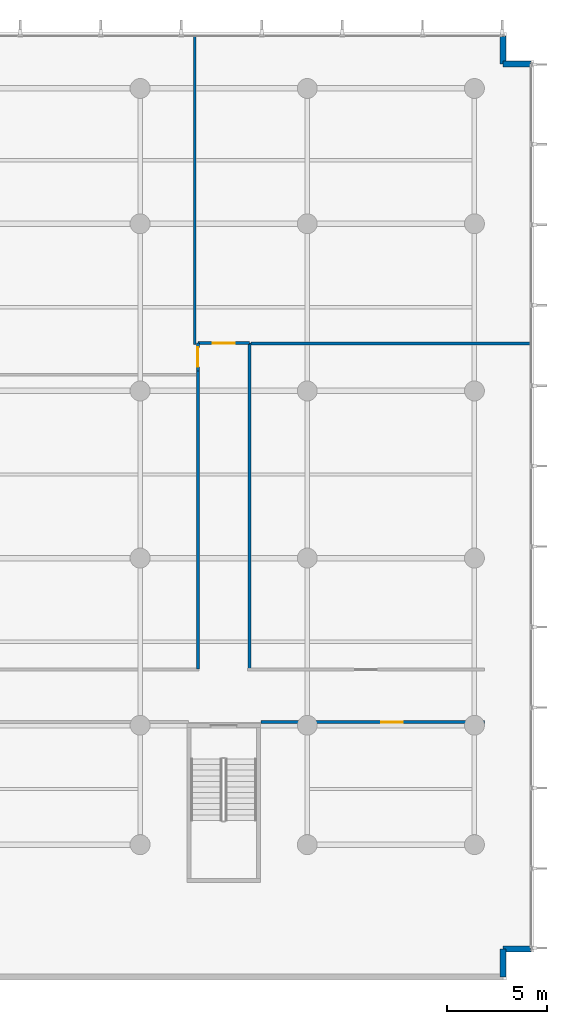
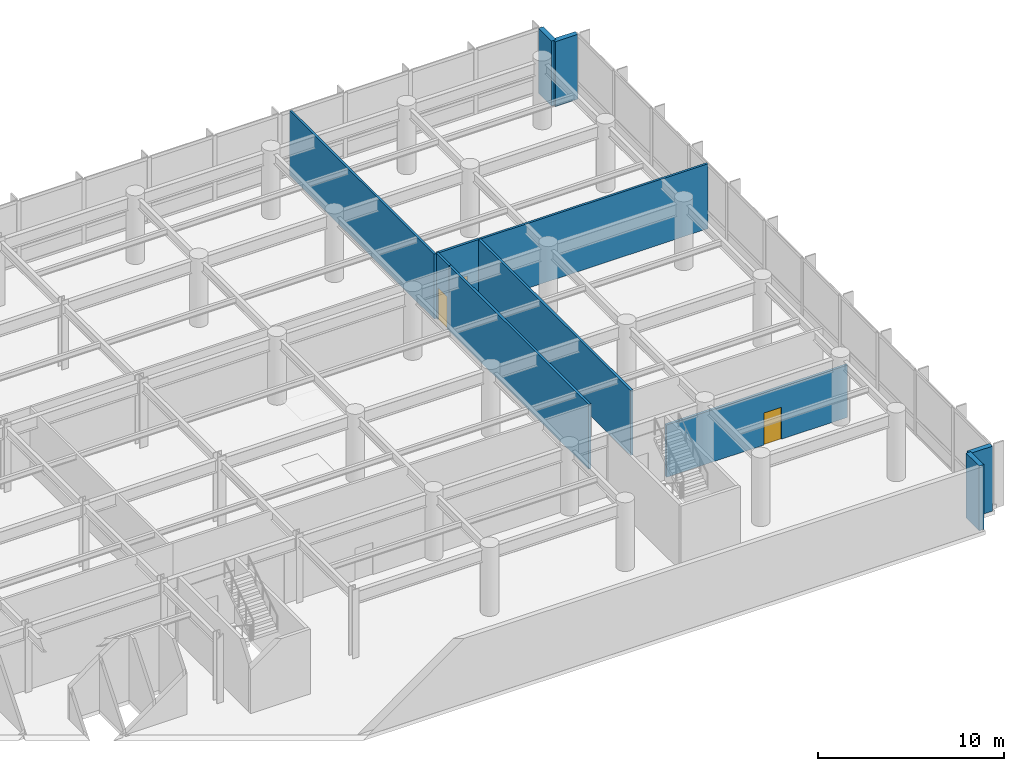
# One storey, part 18 of 26: 11 walls, 3 doors, 3 openings.
"""IFC4 building model written with IfcOpenShell, lengths in metres."""

from ifc_helpers import new_model, si_unit, direction, frame, frame_2d, origin, place, context, subcontext, project, spatial, rectangle, extrude, material, layer, layer_set, type_object, element, fill, save


model = new_model("IFC4")

# Units and contexts
model_context = context("Model", 3, precision=1e-05, world=origin(), true_north=direction((0.0, 1.0)))
body_context = subcontext(model_context, "Body", "Model", "MODEL_VIEW")
ifc_project = project(units=[si_unit("LENGTHUNIT", "METRE"), si_unit("AREAUNIT", "SQUARE_METRE"), si_unit("VOLUMEUNIT", "CUBIC_METRE"), si_unit("PLANEANGLEUNIT", "RADIAN"), si_unit("MASSUNIT", "GRAM", prefix="KILO")], contexts=[model_context])

# Site, building, storey
site_placement = place(None, origin())
site = spatial("IfcSite", under=ifc_project, at=site_placement, CompositionType="ELEMENT")
building_placement = place(site_placement, origin())
building = spatial("IfcBuilding", under=site, at=building_placement, Name="Varnakote Quay Hospital", CompositionType="ELEMENT")
storey_placement = place(building_placement, frame((0.0, 0.0, 9.0)))
storey = spatial("IfcBuildingStorey", under=building, at=storey_placement, Name="L02", CompositionType="ELEMENT", Elevation=9.0)

# Walls
ifc_material_1 = material(Name="Precast concrete N50 (f'c 50 MPa)", Category="concrete")
ifc_layer_1 = layer(ifc_material_1, 0.300048828125)
ifc_layer_set_1 = layer_set([ifc_layer_1], Name="Precast concrete N50 (f'c 50 MPa)")
wall_type_1 = type_object("IfcWallType", Name="WL-EXT-BRICK-300", PredefinedType="STANDARD", material=ifc_layer_set_1)
wall_1_placement = place(storey_placement, frame((85.43994140625, -0.639892578125, 0.0), z_axis=(0.0, 0.0, 1.0), x_axis=(0.0, 1.0, 0.0)))
element("IfcWall", 1, at=wall_1_placement, inside=storey, type_object=wall_type_1, Name="L02 Brick-Faced Precast Exterior Wall", PredefinedType="STANDARD", context=body_context, shape_type="SweptSolid", body=[
    extrude(rectangle(XDim=1.39990234375, YDim=0.300048828125, at=frame_2d((0.699951171875, 0.0))), origin(), (0.0, 0.0, 1.0), 4.25),
])
for number, where, z_axis, x_axis, name in (
    (2, (85.43994140625, 0.760009765625, 0.0), (0.0, 0.0, 1.0), (1.0, 0.0, 0.0), "L02 Brick-Faced Precast Exterior Wall"),
    (3, (86.840087890625, 45.239990234375, 0.0), (0.0, 0.0, 1.0), (-1.0, 0.0, 0.0), "L02 Brick-Faced Precast Exterior Wall"),
):
    element("IfcWall", number, at=place(storey_placement, frame(where, z_axis=z_axis, x_axis=x_axis)), inside=storey, type_object=wall_type_1, Name=name, PredefinedType="STANDARD", context=body_context, shape_type="SweptSolid", body=[
        extrude(rectangle(XDim=1.400146484375, YDim=0.300048828125, at=frame_2d((0.7001953125, 0.0))), origin(), (0.0, 0.0, 1.0), 4.25),
    ])
wall_2_placement = place(storey_placement, frame((85.43994140625, 45.239990234375, 0.0), z_axis=(0.0, 0.0, 1.0), x_axis=(0.0, 1.0, 0.0)))
element("IfcWall", 4, at=wall_2_placement, inside=storey, type_object=wall_type_1, Name="L02 Brick-Faced Precast Exterior Wall", PredefinedType="STANDARD", context=body_context, shape_type="SweptSolid", body=[
    extrude(rectangle(XDim=1.39990234375, YDim=0.300048828125, at=frame_2d((0.699951171875, 0.0))), origin(), (0.0, 0.0, 1.0), 4.25),
])
ifc_material_2 = material(Name="Smoke-proof clinical partition", Category="gypsum")
ifc_layer_2 = layer(ifc_material_2, 0.135009765625)
ifc_layer_set_2 = layer_set([ifc_layer_2], Name="Smoke-proof clinical partition")
wall_type_2 = type_object("IfcWallType", Name="WL-SMOKE-135", PredefinedType="PARTITIONING", material=ifc_layer_set_2)
wall_3_placement = place(storey_placement, frame((86.840087890625, 31.179931640625, 0.0), z_axis=(0.0, 0.0, 1.0), x_axis=(-1.0, 0.0, 0.0)))
element("IfcWall", 5, at=wall_3_placement, inside=storey, type_object=wall_type_2, Name="L02 Clinical Interior Partition", PredefinedType="PARTITIONING", context=body_context, shape_type="SweptSolid", body=[
    extrude(rectangle(XDim=14.0751953125, YDim=0.135009765625, at=frame_2d((7.03759765625, 0.0))), origin(), (0.0, 0.0, 1.0), 4.25),
])
wall_4_placement = place(storey_placement, frame((69.949951171875, 31.1328125, 0.0), z_axis=(0.0, 0.0, 1.0), x_axis=(0.0, 1.0, 0.0)))
element("IfcWall", 6, at=wall_4_placement, inside=storey, type_object=wall_type_2, Name="L02 Clinical Interior Partition", PredefinedType="PARTITIONING", context=body_context, shape_type="SweptSolid", body=[
    extrude(rectangle(XDim=15.507080078125, YDim=0.135009765625, at=frame_2d((7.75341796875, 0.0))), origin(), (0.0, 0.0, 1.0), 4.25),
])

# Wall, opening, door
ifc_material_3 = material(Name="Fire-rated clinical gypsum partition", Category="gypsum")
ifc_layer_3 = layer(ifc_material_3, 0.14990234375)
ifc_layer_set_3 = layer_set([ifc_layer_3], Name="Fire-rated clinical gypsum partition")
wall_type_3 = type_object("IfcWallType", Name="WL-WARD-150", PredefinedType="PARTITIONING", material=ifc_layer_set_3)
wall_5_placement = place(storey_placement, frame((73.271484375, 12.159912109375, 0.0), z_axis=(0.0, 0.0, 1.0), x_axis=(1.0, 0.0, 0.0)))
wall_5 = element("IfcWall", 7, at=wall_5_placement, inside=storey, type_object=wall_type_3, Name="L02 Clinical Interior Partition", PredefinedType="PARTITIONING", context=body_context, shape_type="SweptSolid", body=[
    extrude(rectangle(XDim=11.228515625, YDim=0.14990234375, at=frame_2d((5.6142578125, 0.0))), origin(), (0.0, 0.0, 1.0), 3.425048828125),
])
opening_1_placement = place(wall_5_placement, frame((6.037109375, 0.0, 0.0)))
opening_1 = element("IfcOpeningElement", 8, at=opening_1_placement, cuts=wall_5, Name="Opening D-L02-ESUR", PredefinedType="OPENING", context=body_context, shape_type="SweptSolid", body=[
    extrude(rectangle(XDim=1.10009765625, YDim=2.10009765625, at=frame_2d((0.550048828125, 1.050048828125))), frame((0.0, 0.0849609375, 0.0), z_axis=(0.0, -1.0, 0.0), x_axis=(1.0, 0.0, 0.0)), (0.0, 0.0, 1.0), 0.169921875),
])
ifc_material_4 = material(Name="Acoustic timber clinical consult door", Category="wood")
door_type_1 = type_object("IfcDoorType", Name="DR-CLIN-FD30S-1100x2100", OperationType="NOTDEFINED", PredefinedType="DOOR", material=ifc_material_4)
door_1_placement = place(opening_1_placement, origin())
door_1 = element("IfcDoor", 9, at=door_1_placement, inside=storey, type_object=door_type_1, Name="L02 Robotic Microsurgery Preparation Treatment Suite Door", OperationType="SINGLE_SWING_RIGHT", OverallHeight=2.10009765625, OverallWidth=1.10009765625, PredefinedType="DOOR", context=body_context, shape_type="SweptSolid", body=[
    extrude(rectangle(XDim=1.10009765625, YDim=2.10009765625, at=frame_2d((0.550048828125, 1.050048828125))), frame((0.0, 0.02490234375, 0.0), z_axis=(0.0, -1.0, 0.0), x_axis=(1.0, 0.0, 0.0)), (0.0, 0.0, 1.0), 0.050048828125),
])
fill(opening_1, door_1)

# Walls
wall_6_placement = place(storey_placement, frame((70.10009765625, 29.80712890625, 0.0), z_axis=(0.0, 0.0, 1.0), x_axis=(0.0, -1.0, 0.0)))
element("IfcWall", 10, at=wall_6_placement, inside=storey, type_object=wall_type_3, Name="L02 Clinical Interior Partition", PredefinedType="PARTITIONING", context=body_context, shape_type="SweptSolid", body=[
    extrude(rectangle(XDim=14.987060546875, YDim=0.14990234375, at=frame_2d((7.49365234375, 0.0))), origin(), (0.0, 0.0, 1.0), 4.25),
])
wall_7_placement = place(storey_placement, frame((72.699951171875, 14.820068359375, 0.0), z_axis=(0.0, 0.0, 1.0), x_axis=(0.0, 1.0, 0.0)))
element("IfcWall", 11, at=wall_7_placement, inside=storey, type_object=wall_type_3, Name="L02 Clinical Interior Partition", PredefinedType="PARTITIONING", context=body_context, shape_type="SweptSolid", body=[
    extrude(rectangle(XDim=16.3798828125, YDim=0.14990234375, at=frame_2d((8.18994140625, 0.0))), origin(), (0.0, 0.0, 1.0), 4.25),
])

# Wall, opening, door
wall_8_placement = place(storey_placement, frame((70.10009765625, 31.199951171875, 0.0), z_axis=(0.0, 0.0, 1.0), x_axis=(0.0, -1.0, 0.0)))
wall_8 = element("IfcWall", 12, at=wall_8_placement, inside=storey, type_object=wall_type_3, Name="L02 Clinical Interior Partition", PredefinedType="PARTITIONING", context=body_context, shape_type="SweptSolid", body=[
    extrude(rectangle(XDim=1.390869140625, YDim=0.14990234375, at=frame_2d((0.6953125, 0.0))), origin(), (0.0, 0.0, 1.0), 4.25),
])
opening_2_placement = place(wall_8_placement, frame((0.205322265625, 0.0, 0.0)))
opening_2 = element("IfcOpeningElement", 13, at=opening_2_placement, cuts=wall_8, Name="Opening D-L02-STAF", PredefinedType="OPENING", context=body_context, shape_type="SweptSolid", body=[
    extrude(rectangle(XDim=0.97998046875, YDim=2.10009765625, at=frame_2d((0.489990234375, 1.050048828125))), frame((0.0, 0.0849609375, 0.0), z_axis=(0.0, -1.0, 0.0), x_axis=(1.0, 0.0, 0.0)), (0.0, 0.0, 1.0), 0.169921875),
])
ifc_material_5 = material(Name="Accessible sanitary compartment door")
door_type_2 = type_object("IfcDoorType", Name="DR-WC-980x2100", OperationType="NOTDEFINED", PredefinedType="DOOR", material=ifc_material_5)
door_2_placement = place(opening_2_placement, origin())
door_2 = element("IfcDoor", 14, at=door_2_placement, inside=storey, type_object=door_type_2, Name="L02 Perioperative Staff Seminar Meeting Room Door", OperationType="SINGLE_SWING_LEFT", OverallHeight=2.10009765625, OverallWidth=0.97998046875, PredefinedType="DOOR", context=body_context, shape_type="SweptSolid", body=[
    extrude(rectangle(XDim=0.97998046875, YDim=2.10009765625, at=frame_2d((0.489990234375, 1.050048828125))), frame((0.0, 0.02490234375, 0.0), z_axis=(0.0, -1.0, 0.0), x_axis=(1.0, 0.0, 0.0)), (0.0, 0.0, 1.0), 0.050048828125),
])
fill(opening_2, door_2)

wall_9_placement = place(storey_placement, frame((72.699951171875, 31.199951171875, 0.0), z_axis=(0.0, 0.0, 1.0), x_axis=(-1.0, 0.0, 0.0)))
wall_9 = element("IfcWall", 15, at=wall_9_placement, inside=storey, type_object=wall_type_3, Name="L02 Clinical Interior Partition", PredefinedType="PARTITIONING", context=body_context, shape_type="SweptSolid", body=[
    extrude(rectangle(XDim=2.599853515625, YDim=0.14990234375, at=frame_2d((1.2998046875, 0.0))), origin(), (0.0, 0.0, 1.0), 4.25),
])
opening_3_placement = place(wall_9_placement, frame((0.75, 0.0, 0.0)))
opening_3 = element("IfcOpeningElement", 16, at=opening_3_placement, cuts=wall_9, Name="Opening D-L02-EREC", PredefinedType="OPENING", context=body_context, shape_type="SweptSolid", body=[
    extrude(rectangle(XDim=1.10009765625, YDim=2.10009765625, at=frame_2d((0.550048828125, 1.050048828125))), frame((0.0, 0.0849609375, 0.0), z_axis=(0.0, -1.0, 0.0), x_axis=(1.0, 0.0, 0.0)), (0.0, 0.0, 1.0), 0.169921875),
])
door_3_placement = place(opening_3_placement, origin())
door_3 = element("IfcDoor", 17, at=door_3_placement, inside=storey, type_object=door_type_1, Name="L02 Waterfront Step-Down Post-Anaesthesia Recovery Treatment Ward Door", OperationType="SINGLE_SWING_RIGHT", OverallHeight=2.10009765625, OverallWidth=1.10009765625, PredefinedType="DOOR", context=body_context, shape_type="SweptSolid", body=[
    extrude(rectangle(XDim=1.10009765625, YDim=2.10009765625, at=frame_2d((0.550048828125, 1.050048828125))), frame((0.0, 0.02490234375, 0.0), z_axis=(0.0, -1.0, 0.0), x_axis=(1.0, 0.0, 0.0)), (0.0, 0.0, 1.0), 0.050048828125),
])
fill(opening_3, door_3)

save(model, "model.ifc")
